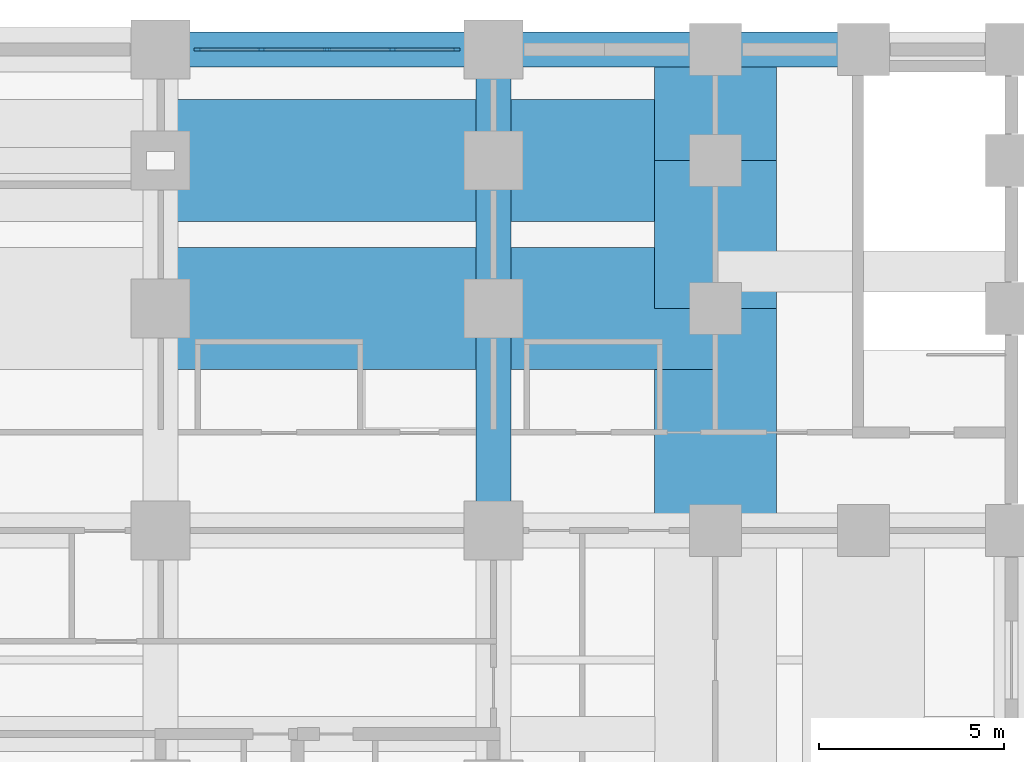
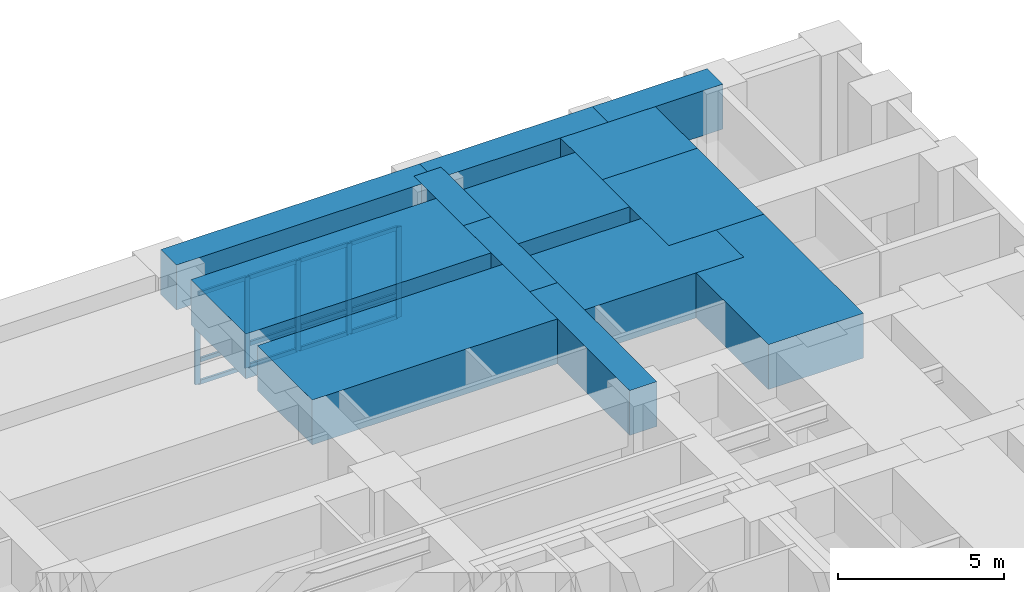
# One storey, part 5 of 22: 17 members, 13 beams, 1 element without a shape of its own.
"""IFC4 building model written with IfcOpenShell, lengths in metres."""

from ifc_helpers import new_model, si_unit, direction, frame, origin, origin_2d, place, context, subcontext, project, spatial, rectangle, extrude, material, material_profile, profile_set, type_object, element, aggregate, save


model = new_model("IFC4")

# Units and contexts
model_context = context("Model", 3, precision=1e-05, world=origin(), true_north=direction((0.0, 1.0)))
body_context = subcontext(model_context, "Body", "Model", "MODEL_VIEW")
ifc_project = project(units=[si_unit("LENGTHUNIT", "METRE"), si_unit("AREAUNIT", "SQUARE_METRE"), si_unit("VOLUMEUNIT", "CUBIC_METRE"), si_unit("PLANEANGLEUNIT", "RADIAN"), si_unit("MASSUNIT", "GRAM", prefix="KILO")], contexts=[model_context])

# Site, building, storey
site_placement = place(None, origin())
site = spatial("IfcSite", under=ifc_project, at=site_placement, CompositionType="ELEMENT")
building_placement = place(site_placement, origin())
building = spatial("IfcBuilding", under=site, at=building_placement, Name="Zulmaris Gate Convention Tower", CompositionType="ELEMENT")
storey_placement = place(building_placement, frame((0.0, 0.0, 21.760009765625)))
storey = spatial("IfcBuildingStorey", under=building, at=storey_placement, Name="L04", CompositionType="ELEMENT", Elevation=21.760009765625)

# Beams
ifc_material_1 = material(Name="Concrete C80/95", Category="concrete")
ifc_material_profile_1 = material_profile(ifc_material_1, rectangle(XDim=0.949951171875, YDim=1.64990234375, at=origin_2d()), Name="RC TRANSFER 950x1650")
ifc_profile_set_1 = profile_set([ifc_material_profile_1], Name="Concrete C80/95")
beam_type_1 = type_object("IfcBeamType", Name="BM-XFER1650", PredefinedType="BEAM", material=ifc_profile_set_1)
beam_1_placement = place(storey_placement, frame((11.0, 29.0, 4.1650390625), z_axis=(1.0, 0.0, 0.0), x_axis=(0.0, 1.0, 0.0)))
element("IfcBeam", 1, at=beam_1_placement, inside=storey, type_object=beam_type_1, Name="L04 Beam XFRNGX-L04-+29.0-6", PredefinedType="BEAM", context=body_context, shape_type="SweptSolid", body=[
    extrude(rectangle(XDim=0.949951171875, YDim=1.64990234375, at=origin_2d()), origin(), (0.0, 0.0, 1.0), 9.0),
])
beam_2_placement = place(storey_placement, frame((20.0, 29.0, 4.1650390625), z_axis=(1.0, 0.0, 0.0), x_axis=(0.0, 1.0, 0.0)))
element("IfcBeam", 2, at=beam_2_placement, inside=storey, type_object=beam_type_1, Name="L04 Beam XFRNGX-L04-+29.0-7", PredefinedType="BEAM", context=body_context, shape_type="SweptSolid", body=[
    extrude(rectangle(XDim=0.949951171875, YDim=1.64990234375, at=origin_2d()), origin(), (0.0, 0.0, 1.0), 6.0),
])
beam_3_placement = place(storey_placement, frame((26.0, 29.0, 4.1650390625), z_axis=(1.0, 0.0, 0.0), x_axis=(0.0, 1.0, 0.0)))
element("IfcBeam", 3, at=beam_3_placement, inside=storey, type_object=beam_type_1, Name="L04 Beam XFRNGX-L04-+29.0-8", PredefinedType="BEAM", context=body_context, shape_type="SweptSolid", body=[
    extrude(rectangle(XDim=0.949951171875, YDim=1.64990234375, at=origin_2d()), origin(), (0.0, 0.0, 1.0), 4.0),
])
beam_4_placement = place(storey_placement, frame((20.0, 16.0, 4.1650390625), z_axis=(0.0, 1.0, 0.0), x_axis=(-1.0, 0.0, 0.0)))
element("IfcBeam", 4, at=beam_4_placement, inside=storey, type_object=beam_type_1, Name="L04 Beam XFSPY-L04-+20.0-8", PredefinedType="BEAM", context=body_context, shape_type="SweptSolid", body=[
    extrude(rectangle(XDim=0.949951171875, YDim=1.64990234375, at=origin_2d()), origin(), (0.0, 0.0, 1.0), 6.0),
])
beam_5_placement = place(storey_placement, frame((20.0, 22.0, 4.1650390625), z_axis=(0.0, 1.0, 0.0), x_axis=(-1.0, 0.0, 0.0)))
element("IfcBeam", 5, at=beam_5_placement, inside=storey, type_object=beam_type_1, Name="L04 Beam XFSPY-L04-+20.0-9", PredefinedType="BEAM", context=body_context, shape_type="SweptSolid", body=[
    extrude(rectangle(XDim=0.949951171875, YDim=1.64990234375, at=origin_2d()), origin(), (0.0, 0.0, 1.0), 4.0),
])
beam_6_placement = place(storey_placement, frame((20.0, 26.0, 4.1650390625), z_axis=(0.0, 1.0, 0.0), x_axis=(-1.0, 0.0, 0.0)))
element("IfcBeam", 6, at=beam_6_placement, inside=storey, type_object=beam_type_1, Name="L04 Beam XFSPY-L04-+20.0-10", PredefinedType="BEAM", context=body_context, shape_type="SweptSolid", body=[
    extrude(rectangle(XDim=0.949951171875, YDim=1.64990234375, at=origin_2d()), origin(), (0.0, 0.0, 1.0), 3.0),
])
ifc_material_profile_2 = material_profile(ifc_material_1, rectangle(XDim=3.300048828125, YDim=1.64990234375, at=origin_2d()), Name="RC TRANSFER 3300x1650")
ifc_profile_set_2 = profile_set([ifc_material_profile_2], Name="Concrete C80/95")
beam_type_2 = type_object("IfcBeamType", Name="BM-XFERCAP", PredefinedType="BEAM", material=ifc_profile_set_2)
beam_7_placement = place(storey_placement, frame((26.0, 16.0, 4.1650390625), z_axis=(0.0, 1.0, 0.0), x_axis=(-1.0, 0.0, 0.0)))
element("IfcBeam", 7, at=beam_7_placement, inside=storey, type_object=beam_type_2, Name="L04 Beam XFSPY-L04-+26.0-8", PredefinedType="BEAM", context=body_context, shape_type="SweptSolid", body=[
    extrude(rectangle(XDim=3.300048828125, YDim=1.64990234375, at=origin_2d()), origin(), (0.0, 0.0, 1.0), 6.0),
])
beam_8_placement = place(storey_placement, frame((26.0, 22.0, 4.1650390625), z_axis=(0.0, 1.0, 0.0), x_axis=(-1.0, 0.0, 0.0)))
element("IfcBeam", 8, at=beam_8_placement, inside=storey, type_object=beam_type_2, Name="L04 Beam XFSPY-L04-+26.0-9", PredefinedType="BEAM", context=body_context, shape_type="SweptSolid", body=[
    extrude(rectangle(XDim=3.300048828125, YDim=1.64990234375, at=origin_2d()), origin(), (0.0, 0.0, 1.0), 4.0),
])
beam_9_placement = place(storey_placement, frame((26.0, 26.0, 4.1650390625), z_axis=(0.0, 1.0, 0.0), x_axis=(-1.0, 0.0, 0.0)))
element("IfcBeam", 9, at=beam_9_placement, inside=storey, type_object=beam_type_2, Name="L04 Beam XFSPY-L04-+26.0-10", PredefinedType="BEAM", context=body_context, shape_type="SweptSolid", body=[
    extrude(rectangle(XDim=3.300048828125, YDim=1.64990234375, at=origin_2d()), origin(), (0.0, 0.0, 1.0), 3.0),
])
beam_10_placement = place(storey_placement, frame((11.0, 22.0, 4.1650390625), z_axis=(1.0, 0.0, 0.0), x_axis=(0.0, 1.0, 0.0)))
element("IfcBeam", 10, at=beam_10_placement, inside=storey, type_object=beam_type_2, Name="L04 Beam XFSPX-L04-+22.0-7", PredefinedType="BEAM", context=body_context, shape_type="SweptSolid", body=[
    extrude(rectangle(XDim=3.300048828125, YDim=1.64990234375, at=origin_2d()), origin(), (0.0, 0.0, 1.0), 9.0),
])
beam_11_placement = place(storey_placement, frame((20.0, 22.0, 4.1650390625), z_axis=(1.0, 0.0, 0.0), x_axis=(0.0, 1.0, 0.0)))
element("IfcBeam", 11, at=beam_11_placement, inside=storey, type_object=beam_type_2, Name="L04 Beam XFSPX-L04-+22.0-8", PredefinedType="BEAM", context=body_context, shape_type="SweptSolid", body=[
    extrude(rectangle(XDim=3.300048828125, YDim=1.64990234375, at=origin_2d()), origin(), (0.0, 0.0, 1.0), 6.0),
])
beam_12_placement = place(storey_placement, frame((11.0, 26.0, 4.1650390625), z_axis=(1.0, 0.0, 0.0), x_axis=(0.0, 1.0, 0.0)))
element("IfcBeam", 12, at=beam_12_placement, inside=storey, type_object=beam_type_2, Name="L04 Beam XFSPX-L04-+26.0-7", PredefinedType="BEAM", context=body_context, shape_type="SweptSolid", body=[
    extrude(rectangle(XDim=3.300048828125, YDim=1.64990234375, at=origin_2d()), origin(), (0.0, 0.0, 1.0), 9.0),
])
beam_13_placement = place(storey_placement, frame((20.0, 26.0, 4.1650390625), z_axis=(1.0, 0.0, 0.0), x_axis=(0.0, 1.0, 0.0)))
element("IfcBeam", 13, at=beam_13_placement, inside=storey, type_object=beam_type_2, Name="L04 Beam XFSPX-L04-+26.0-8", PredefinedType="BEAM", context=body_context, shape_type="SweptSolid", body=[
    extrude(rectangle(XDim=3.300048828125, YDim=1.64990234375, at=origin_2d()), origin(), (0.0, 0.0, 1.0), 6.0),
])

# Curtain wall, members
ifc_material_2 = material(Name="Anodised Aluminium", Category="aluminium")
curtain_wall_type = type_object("IfcCurtainWallType", Name="CW-03", PredefinedType="NOTDEFINED", material=ifc_material_2)
curtain_wall_placement = place(storey_placement, origin())
curtain_wall = element("IfcCurtainWall", 14, at=curtain_wall_placement, inside=storey, type_object=curtain_wall_type, Name="CW-03 CW03-L04-N11_0", PredefinedType="NOTDEFINED")
ifc_material_profile_3 = material_profile(ifc_material_2, rectangle(XDim=0.074951171875, YDim=0.179931640625, at=origin_2d()), Name="ALU MULLION 75x180")
ifc_profile_set_3 = profile_set([ifc_material_profile_3], Name="Anodised Aluminium")
member_type_1 = type_object("IfcMemberType", Name="CW-03-MULL", PredefinedType="MULLION", material=ifc_profile_set_3)
member_1_placement = place(storey_placement, frame((19.00244140625, 29.0, 0.0), z_axis=(0.0, 0.0, 1.0), x_axis=(0.0, -1.0, 0.0)))
member_1 = element("IfcMember", 15, at=member_1_placement, type_object=member_type_1, Name="CW-03 mullion 1", PredefinedType="MULLION", context=body_context, shape_type="SweptSolid", body=[
    extrude(rectangle(XDim=0.074951171875, YDim=0.179931640625, at=origin_2d()), origin(), (0.0, 0.0, 1.0), 3.33203125),
])
member_2_placement = place(storey_placement, frame((17.27001953125, 29.0, 0.0), z_axis=(0.0, 0.0, 1.0), x_axis=(0.0, -1.0, 0.0)))
member_2 = element("IfcMember", 16, at=member_2_placement, type_object=member_type_1, Name="CW-03 mullion 2", PredefinedType="MULLION", context=body_context, shape_type="SweptSolid", body=[
    extrude(rectangle(XDim=0.074951171875, YDim=0.179931640625, at=origin_2d()), origin(), (0.0, 0.0, 1.0), 3.33203125),
])
member_3_placement = place(storey_placement, frame((15.5, 29.0, 0.0), z_axis=(0.0, 0.0, 1.0), x_axis=(0.0, -1.0, 0.0)))
member_3 = element("IfcMember", 17, at=member_3_placement, type_object=member_type_1, Name="CW-03 mullion 3", PredefinedType="MULLION", context=body_context, shape_type="SweptSolid", body=[
    extrude(rectangle(XDim=0.074951171875, YDim=0.179931640625, at=origin_2d()), origin(), (0.0, 0.0, 1.0), 3.33203125),
])
member_4_placement = place(storey_placement, frame((13.72998046875, 29.0, 0.0), z_axis=(0.0, 0.0, 1.0), x_axis=(0.0, -1.0, 0.0)))
member_4 = element("IfcMember", 18, at=member_4_placement, type_object=member_type_1, Name="CW-03 mullion 4", PredefinedType="MULLION", context=body_context, shape_type="SweptSolid", body=[
    extrude(rectangle(XDim=0.074951171875, YDim=0.179931640625, at=origin_2d()), origin(), (0.0, 0.0, 1.0), 3.33203125),
])
member_5_placement = place(storey_placement, frame((11.99755859375, 29.0, 0.0), z_axis=(0.0, 0.0, 1.0), x_axis=(0.0, -1.0, 0.0)))
member_5 = element("IfcMember", 19, at=member_5_placement, type_object=member_type_1, Name="CW-03 mullion 5", PredefinedType="MULLION", context=body_context, shape_type="SweptSolid", body=[
    extrude(rectangle(XDim=0.074951171875, YDim=0.179931640625, at=origin_2d()), origin(), (0.0, 0.0, 1.0), 3.33203125),
])
ifc_material_profile_4 = material_profile(ifc_material_2, rectangle(XDim=0.074951171875, YDim=0.14990234375, at=origin_2d()), Name="ALU TRANSOM 75x150")
ifc_profile_set_4 = profile_set([ifc_material_profile_4], Name="Anodised Aluminium")
member_type_2 = type_object("IfcMemberType", Name="CW-03-TRAN", PredefinedType="USERDEFINED", material=ifc_profile_set_4)
member_6_placement = place(storey_placement, frame((18.965087890625, 29.0, 0.03759765625), z_axis=(-1.0, 0.0, 0.0), x_axis=(0.0, -1.0, 0.0)))
member_6 = element("IfcMember", 20, at=member_6_placement, type_object=member_type_2, Name="CW-03 transom 1.1", ObjectType="TRANSOM", PredefinedType="USERDEFINED", context=body_context, shape_type="SweptSolid", body=[
    extrude(rectangle(XDim=0.074951171875, YDim=0.14990234375, at=origin_2d()), origin(), (0.0, 0.0, 1.0), 1.657470703125),
])
member_7_placement = place(storey_placement, frame((18.965087890625, 29.0, 0.85009765625), z_axis=(-1.0, 0.0, 0.0), x_axis=(0.0, -1.0, 0.0)))
member_7 = element("IfcMember", 21, at=member_7_placement, type_object=member_type_2, Name="CW-03 transom 1.2", ObjectType="TRANSOM", PredefinedType="USERDEFINED", context=body_context, shape_type="SweptSolid", body=[
    extrude(rectangle(XDim=0.074951171875, YDim=0.14990234375, at=origin_2d()), origin(), (0.0, 0.0, 1.0), 1.657470703125),
])
member_8_placement = place(storey_placement, frame((18.965087890625, 29.0, 3.29443359375), z_axis=(-1.0, 0.0, 0.0), x_axis=(0.0, -1.0, 0.0)))
member_8 = element("IfcMember", 22, at=member_8_placement, type_object=member_type_2, Name="CW-03 transom 1.3", ObjectType="TRANSOM", PredefinedType="USERDEFINED", context=body_context, shape_type="SweptSolid", body=[
    extrude(rectangle(XDim=0.074951171875, YDim=0.14990234375, at=origin_2d()), origin(), (0.0, 0.0, 1.0), 1.657470703125),
])
member_9_placement = place(storey_placement, frame((17.232421875, 29.0, 0.03759765625), z_axis=(-1.0, 0.0, 0.0), x_axis=(0.0, -1.0, 0.0)))
member_9 = element("IfcMember", 23, at=member_9_placement, type_object=member_type_2, Name="CW-03 transom 2.1", ObjectType="TRANSOM", PredefinedType="USERDEFINED", context=body_context, shape_type="SweptSolid", body=[
    extrude(rectangle(XDim=0.074951171875, YDim=0.14990234375, at=origin_2d()), origin(), (0.0, 0.0, 1.0), 1.69482421875),
])
member_10_placement = place(storey_placement, frame((17.232421875, 29.0, 0.85009765625), z_axis=(-1.0, 0.0, 0.0), x_axis=(0.0, -1.0, 0.0)))
member_10 = element("IfcMember", 24, at=member_10_placement, type_object=member_type_2, Name="CW-03 transom 2.2", ObjectType="TRANSOM", PredefinedType="USERDEFINED", context=body_context, shape_type="SweptSolid", body=[
    extrude(rectangle(XDim=0.074951171875, YDim=0.14990234375, at=origin_2d()), origin(), (0.0, 0.0, 1.0), 1.69482421875),
])
member_11_placement = place(storey_placement, frame((17.232421875, 29.0, 3.29443359375), z_axis=(-1.0, 0.0, 0.0), x_axis=(0.0, -1.0, 0.0)))
member_11 = element("IfcMember", 25, at=member_11_placement, type_object=member_type_2, Name="CW-03 transom 2.3", ObjectType="TRANSOM", PredefinedType="USERDEFINED", context=body_context, shape_type="SweptSolid", body=[
    extrude(rectangle(XDim=0.074951171875, YDim=0.14990234375, at=origin_2d()), origin(), (0.0, 0.0, 1.0), 1.69482421875),
])
member_12_placement = place(storey_placement, frame((15.46240234375, 29.0, 0.03759765625), z_axis=(-1.0, 0.0, 0.0), x_axis=(0.0, -1.0, 0.0)))
member_12 = element("IfcMember", 26, at=member_12_placement, type_object=member_type_2, Name="CW-03 transom 3.1", ObjectType="TRANSOM", PredefinedType="USERDEFINED", context=body_context, shape_type="SweptSolid", body=[
    extrude(rectangle(XDim=0.074951171875, YDim=0.14990234375, at=origin_2d()), origin(), (0.0, 0.0, 1.0), 1.69482421875),
])
member_13_placement = place(storey_placement, frame((15.46240234375, 29.0, 0.85009765625), z_axis=(-1.0, 0.0, 0.0), x_axis=(0.0, -1.0, 0.0)))
member_13 = element("IfcMember", 27, at=member_13_placement, type_object=member_type_2, Name="CW-03 transom 3.2", ObjectType="TRANSOM", PredefinedType="USERDEFINED", context=body_context, shape_type="SweptSolid", body=[
    extrude(rectangle(XDim=0.074951171875, YDim=0.14990234375, at=origin_2d()), origin(), (0.0, 0.0, 1.0), 1.69482421875),
])
member_14_placement = place(storey_placement, frame((15.46240234375, 29.0, 3.29443359375), z_axis=(-1.0, 0.0, 0.0), x_axis=(0.0, -1.0, 0.0)))
member_14 = element("IfcMember", 28, at=member_14_placement, type_object=member_type_2, Name="CW-03 transom 3.3", ObjectType="TRANSOM", PredefinedType="USERDEFINED", context=body_context, shape_type="SweptSolid", body=[
    extrude(rectangle(XDim=0.074951171875, YDim=0.14990234375, at=origin_2d()), origin(), (0.0, 0.0, 1.0), 1.69482421875),
])
member_15_placement = place(storey_placement, frame((13.6923828125, 29.0, 0.03759765625), z_axis=(-1.0, 0.0, 0.0), x_axis=(0.0, -1.0, 0.0)))
member_15 = element("IfcMember", 29, at=member_15_placement, type_object=member_type_2, Name="CW-03 transom 4.1", ObjectType="TRANSOM", PredefinedType="USERDEFINED", context=body_context, shape_type="SweptSolid", body=[
    extrude(rectangle(XDim=0.074951171875, YDim=0.14990234375, at=origin_2d()), origin(), (0.0, 0.0, 1.0), 1.657470703125),
])
member_16_placement = place(storey_placement, frame((13.6923828125, 29.0, 0.85009765625), z_axis=(-1.0, 0.0, 0.0), x_axis=(0.0, -1.0, 0.0)))
member_16 = element("IfcMember", 30, at=member_16_placement, type_object=member_type_2, Name="CW-03 transom 4.2", ObjectType="TRANSOM", PredefinedType="USERDEFINED", context=body_context, shape_type="SweptSolid", body=[
    extrude(rectangle(XDim=0.074951171875, YDim=0.14990234375, at=origin_2d()), origin(), (0.0, 0.0, 1.0), 1.657470703125),
])
member_17_placement = place(storey_placement, frame((13.6923828125, 29.0, 3.29443359375), z_axis=(-1.0, 0.0, 0.0), x_axis=(0.0, -1.0, 0.0)))
member_17 = element("IfcMember", 31, at=member_17_placement, type_object=member_type_2, Name="CW-03 transom 4.3", ObjectType="TRANSOM", PredefinedType="USERDEFINED", context=body_context, shape_type="SweptSolid", body=[
    extrude(rectangle(XDim=0.074951171875, YDim=0.14990234375, at=origin_2d()), origin(), (0.0, 0.0, 1.0), 1.657470703125),
])
aggregate(curtain_wall, [member_1, member_2, member_3, member_4, member_5, member_6, member_7, member_8, member_9, member_10, member_11, member_12, member_13, member_14, member_15, member_16, member_17])

save(model, "model.ifc")
